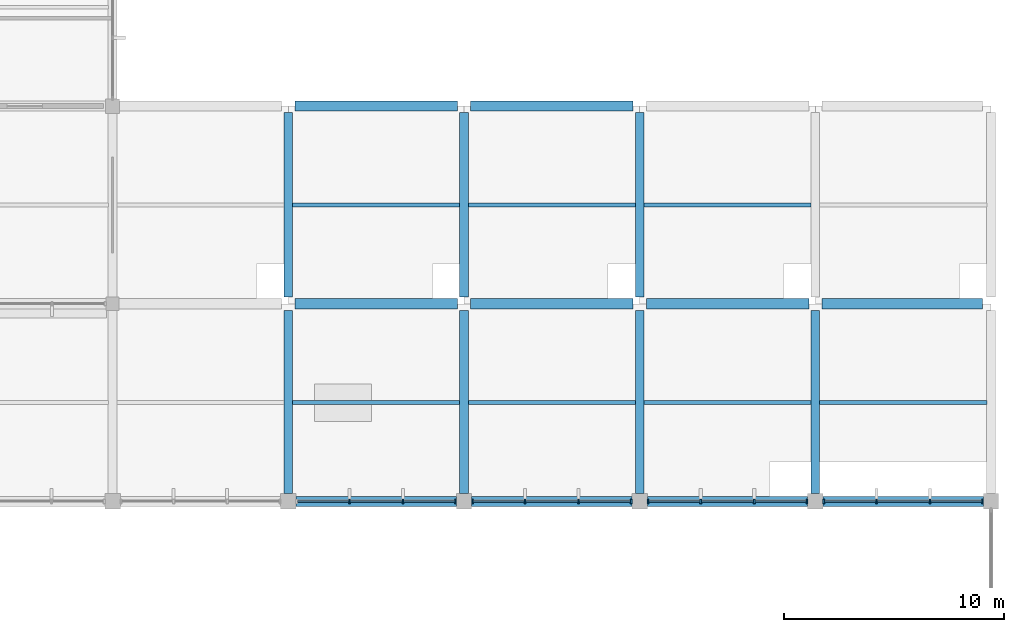
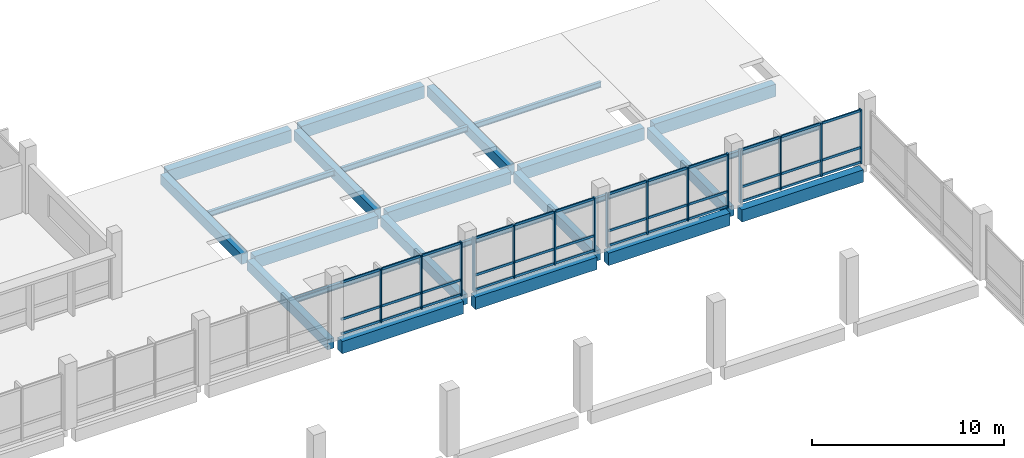
# One storey, part 39 of 70: 51 members, 24 beams, 4 elements without a shape of their own.
"""IFC4 building model written with IfcOpenShell, lengths in metres."""

from ifc_helpers import new_model, si_unit, direction, frame, origin, origin_2d, place, context, subcontext, project, spatial, rectangle, i_section, extrude, material, material_profile, profile_set, type_object, element, aggregate, save


model = new_model("IFC4")

# Units and contexts
model_context = context("Model", 3, precision=1e-05, world=origin(), true_north=direction((0.0, 1.0)))
body_context = subcontext(model_context, "Body", "Model", "MODEL_VIEW")
ifc_project = project(units=[si_unit("LENGTHUNIT", "METRE"), si_unit("AREAUNIT", "SQUARE_METRE"), si_unit("VOLUMEUNIT", "CUBIC_METRE"), si_unit("PLANEANGLEUNIT", "RADIAN"), si_unit("MASSUNIT", "GRAM", prefix="KILO"), si_unit("THERMODYNAMICTEMPERATUREUNIT", "KELVIN"), si_unit("POWERUNIT", "WATT")], contexts=[model_context])

# Site, building, storey
site_placement = place(None, origin())
site = spatial("IfcSite", under=ifc_project, at=site_placement, CompositionType="ELEMENT")
building_placement = place(site_placement, origin())
building = spatial("IfcBuilding", under=site, at=building_placement, Name="Kronsvod Quay Wholesale Market", CompositionType="ELEMENT")
storey_placement = place(building_placement, frame((0.0, 0.0, 9.0)))
storey = spatial("IfcBuildingStorey", under=building, at=storey_placement, Name="L02", CompositionType="ELEMENT", Elevation=9.0)

# Beams
ifc_material_1 = material(Name="Precast concrete C40/50", Category="concrete")
ifc_material_profile_1 = material_profile(ifc_material_1, rectangle(XDim=0.39990234375, YDim=0.64990234375, at=origin_2d()), Name="PCB400x650")
ifc_profile_set_1 = profile_set([ifc_material_profile_1], Name="Precast concrete C40/50")
beam_type_1 = type_object("IfcBeamType", Name="Beam_PCB400x650", PredefinedType="BEAM", material=ifc_profile_set_1)
beam_1_placement = place(storey_placement, frame((160.0, 90.35009765625, -0.635009765625), z_axis=(0.0, 1.0, 0.0), x_axis=(-1.0, 0.0, 0.0)))
element("IfcBeam", 1, at=beam_1_placement, inside=storey, type_object=beam_type_1, Name="BMY-L02-1600-900", PredefinedType="BEAM", context=body_context, shape_type="SweptSolid", body=[
    extrude(rectangle(XDim=0.39990234375, YDim=0.64990234375, at=origin_2d()), origin(), (0.0, 0.0, 1.0), 8.349853515625),
])
beam_2_placement = place(storey_placement, frame((160.0, 99.300048828125, -0.635009765625), z_axis=(0.0, 1.0, 0.0), x_axis=(-1.0, 0.0, 0.0)))
element("IfcBeam", 2, at=beam_2_placement, inside=storey, type_object=beam_type_1, Name="BMY-L02-1600-990", PredefinedType="BEAM", context=body_context, shape_type="SweptSolid", body=[
    extrude(rectangle(XDim=0.39990234375, YDim=0.64990234375, at=origin_2d()), origin(), (0.0, 0.0, 1.0), 8.39990234375),
])
beam_3_placement = place(storey_placement, frame((168.0, 90.35009765625, -0.635009765625), z_axis=(0.0, 1.0, 0.0), x_axis=(-1.0, 0.0, 0.0)))
element("IfcBeam", 3, at=beam_3_placement, inside=storey, type_object=beam_type_1, Name="BMY-L02-1680-900", PredefinedType="BEAM", context=body_context, shape_type="SweptSolid", body=[
    extrude(rectangle(XDim=0.39990234375, YDim=0.64990234375, at=origin_2d()), origin(), (0.0, 0.0, 1.0), 8.349853515625),
])
beam_4_placement = place(storey_placement, frame((168.0, 99.300048828125, -0.635009765625), z_axis=(0.0, 1.0, 0.0), x_axis=(-1.0, 0.0, 0.0)))
element("IfcBeam", 4, at=beam_4_placement, inside=storey, type_object=beam_type_1, Name="BMY-L02-1680-990", PredefinedType="BEAM", context=body_context, shape_type="SweptSolid", body=[
    extrude(rectangle(XDim=0.39990234375, YDim=0.64990234375, at=origin_2d()), origin(), (0.0, 0.0, 1.0), 8.39990234375),
])
beam_5_placement = place(storey_placement, frame((176.0, 90.35009765625, -0.635009765625), z_axis=(0.0, 1.0, 0.0), x_axis=(-1.0, 0.0, 0.0)))
element("IfcBeam", 5, at=beam_5_placement, inside=storey, type_object=beam_type_1, Name="BMY-L02-1760-900", PredefinedType="BEAM", context=body_context, shape_type="SweptSolid", body=[
    extrude(rectangle(XDim=0.39990234375, YDim=0.64990234375, at=origin_2d()), origin(), (0.0, 0.0, 1.0), 8.349853515625),
])
beam_6_placement = place(storey_placement, frame((176.0, 99.300048828125, -0.635009765625), z_axis=(0.0, 1.0, 0.0), x_axis=(-1.0, 0.0, 0.0)))
element("IfcBeam", 6, at=beam_6_placement, inside=storey, type_object=beam_type_1, Name="BMY-L02-1760-990", PredefinedType="BEAM", context=body_context, shape_type="SweptSolid", body=[
    extrude(rectangle(XDim=0.39990234375, YDim=0.64990234375, at=origin_2d()), origin(), (0.0, 0.0, 1.0), 8.39990234375),
])
beam_7_placement = place(storey_placement, frame((184.0, 90.35009765625, -0.635009765625), z_axis=(0.0, 1.0, 0.0), x_axis=(-1.0, 0.0, 0.0)))
element("IfcBeam", 7, at=beam_7_placement, inside=storey, type_object=beam_type_1, Name="BMY-L02-1840-900", PredefinedType="BEAM", context=body_context, shape_type="SweptSolid", body=[
    extrude(rectangle(XDim=0.39990234375, YDim=0.64990234375, at=origin_2d()), origin(), (0.0, 0.0, 1.0), 8.349853515625),
])
ifc_material_2 = material(Name="Precast concrete C40/50", Category="concrete")
ifc_material_profile_2 = material_profile(ifc_material_2, rectangle(XDim=0.4599609375, YDim=0.780029296875, at=origin_2d()), Name="PB-03")
ifc_profile_set_2 = profile_set([ifc_material_profile_2], Name="Precast concrete C40/50")
beam_type_2 = type_object("IfcBeamType", Name="Beam_PCB460x780", PredefinedType="BEAM", material=ifc_profile_set_2)
for number, where, z_axis, x_axis, name in (
    (8, (160.35009765625, 90.0, -0.64990234375), (1.0, 0.0, 0.0), (0.0, 1.0, 0.0), "BMX-L02-1600-900"),
    (9, (168.35009765625, 90.0, -0.64990234375), (1.0, 0.0, 0.0), (0.0, 1.0, 0.0), "BMX-L02-1680-900"),
    (10, (176.35009765625, 90.0, -0.64990234375), (1.0, 0.0, 0.0), (0.0, 1.0, 0.0), "BMX-L02-1760-900"),
    (11, (184.35009765625, 90.0, -0.699951171875), (1.0, 0.0, 0.0), (0.0, 1.0, 0.0), "BMX-L02-1840-900"),
):
    element("IfcBeam", number, at=place(storey_placement, frame(where, z_axis=z_axis, x_axis=x_axis)), inside=storey, type_object=beam_type_2, Name=name, PredefinedType="BEAM", context=body_context, shape_type="SweptSolid", body=[
        extrude(rectangle(XDim=0.4599609375, YDim=0.780029296875, at=origin_2d()), origin(), (0.0, 0.0, 1.0), 7.2998046875),
    ])
for number, where, z_axis, x_axis, name in (
    (12, (160.300048828125, 99.0, -0.699951171875), (1.0, 0.0, 0.0), (0.0, 1.0, 0.0), "BMX-L02-1600-990"),
    (13, (168.300048828125, 99.0, -0.699951171875), (1.0, 0.0, 0.0), (0.0, 1.0, 0.0), "BMX-L02-1680-990"),
    (14, (176.300048828125, 99.0, -0.699951171875), (1.0, 0.0, 0.0), (0.0, 1.0, 0.0), "BMX-L02-1760-990"),
):
    element("IfcBeam", number, at=place(storey_placement, frame(where, z_axis=z_axis, x_axis=x_axis)), inside=storey, type_object=beam_type_2, Name=name, PredefinedType="BEAM", context=body_context, shape_type="SweptSolid", body=[
        extrude(rectangle(XDim=0.4599609375, YDim=0.780029296875, at=origin_2d()), origin(), (0.0, 0.0, 1.0), 7.39990234375),
    ])
beam_8_placement = place(storey_placement, frame((184.300048828125, 99.0, -0.699951171875), z_axis=(1.0, 0.0, 0.0), x_axis=(0.0, 1.0, 0.0)))
element("IfcBeam", 15, at=beam_8_placement, inside=storey, type_object=beam_type_2, Name="BMX-L02-1840-990", PredefinedType="BEAM", context=body_context, shape_type="SweptSolid", body=[
    extrude(rectangle(XDim=0.4599609375, YDim=0.780029296875, at=origin_2d()), origin(), (0.0, 0.0, 1.0), 7.300048828125),
])
for number, where, z_axis, x_axis, name in (
    (16, (160.300048828125, 108.0, -0.699951171875), (1.0, 0.0, 0.0), (0.0, 1.0, 0.0), "BMX-L02-1600-1080"),
    (17, (168.300048828125, 108.0, -0.699951171875), (1.0, 0.0, 0.0), (0.0, 1.0, 0.0), "BMX-L02-1680-1080"),
):
    element("IfcBeam", number, at=place(storey_placement, frame(where, z_axis=z_axis, x_axis=x_axis)), inside=storey, type_object=beam_type_2, Name=name, PredefinedType="BEAM", context=body_context, shape_type="SweptSolid", body=[
        extrude(rectangle(XDim=0.4599609375, YDim=0.780029296875, at=origin_2d()), origin(), (0.0, 0.0, 1.0), 7.39990234375),
    ])
ifc_material_3 = material(Name="Steel S355", Category="steel")
ifc_material_profile_3 = material_profile(ifc_material_3, i_section(OverallWidth=0.174072265625, OverallDepth=0.345947265625, WebThickness=0.006103515625, FlangeThickness=0.009033203125, FilletRadius=0.013916015625, at=origin_2d()), Name="35B1")
ifc_profile_set_3 = profile_set([ifc_material_profile_3], Name="Steel S355")
beam_type_3 = type_object("IfcBeamType", Name="Joist_Steel35B1", PredefinedType="JOIST", material=ifc_profile_set_3)
for number, where, z_axis, x_axis, name in (
    (18, (160.195068359375, 94.5, -0.43310546875), (1.0, 0.0, 0.0), (0.0, 1.0, 0.0), "JSTX-L02-1600-900"),
    (19, (160.195068359375, 103.5, -0.43310546875), (1.0, 0.0, 0.0), (0.0, 1.0, 0.0), "JSTX-L02-1600-990"),
    (20, (168.195068359375, 94.5, -0.43310546875), (1.0, 0.0, 0.0), (0.0, 1.0, 0.0), "JSTX-L02-1680-900"),
    (21, (168.195068359375, 103.5, -0.43310546875), (1.0, 0.0, 0.0), (0.0, 1.0, 0.0), "JSTX-L02-1680-990"),
    (22, (176.195068359375, 94.5, -0.43310546875), (1.0, 0.0, 0.0), (0.0, 1.0, 0.0), "JSTX-L02-1760-900"),
    (23, (176.195068359375, 103.5, -0.43310546875), (1.0, 0.0, 0.0), (0.0, 1.0, 0.0), "JSTX-L02-1760-990"),
    (24, (184.195068359375, 94.5, -0.43310546875), (1.0, 0.0, 0.0), (0.0, 1.0, 0.0), "JSTX-L02-1840-900"),
):
    element("IfcBeam", number, at=place(storey_placement, frame(where, z_axis=z_axis, x_axis=x_axis)), inside=storey, type_object=beam_type_3, Name=name, PredefinedType="JOIST", context=body_context, shape_type="SweptSolid", body=[
        extrude(i_section(OverallWidth=0.174072265625, OverallDepth=0.345947265625, WebThickness=0.006103515625, FlangeThickness=0.009033203125, FilletRadius=0.013916015625, at=origin_2d()), origin(), (0.0, 0.0, 1.0), 7.60986328125),
    ])

# Curtain wall, members
ifc_material_4 = material(Name="Thermally broken aluminium and triple low-E glazing", Category="aluminium")
curtain_wall_type = type_object("IfcCurtainWallType", Name="CW_Clerestory80x32", PredefinedType="NOTDEFINED", material=ifc_material_4)
curtain_wall_1_placement = place(storey_placement, origin())
curtain_wall_1 = element("IfcCurtainWall", 25, at=curtain_wall_1_placement, inside=storey, type_object=curtain_wall_type, Name="CWGX-L02-1600-900", PredefinedType="NOTDEFINED")
ifc_material_5 = material(Name="Anodised aluminium", Category="aluminium")
ifc_material_profile_4 = material_profile(ifc_material_5, rectangle(XDim=0.074951171875, YDim=0.199951171875, at=origin_2d()), Name="ALUM75x200")
ifc_profile_set_4 = profile_set([ifc_material_profile_4], Name="Anodised aluminium")
member_type_1 = type_object("IfcMemberType", Name="Mullion_ALU75x200", PredefinedType="MULLION", material=ifc_profile_set_4)
member_1_placement = place(storey_placement, frame((167.617431640625, 90.0, 0.0), z_axis=(0.0, 0.0, 1.0), x_axis=(1.0, 0.0, 0.0)))
member_1 = element("IfcMember", 26, at=member_1_placement, type_object=member_type_1, Name="CWGX-L02-1600-900-M1", PredefinedType="MULLION", context=body_context, shape_type="SweptSolid", body=[
    extrude(rectangle(XDim=0.074951171875, YDim=0.199951171875, at=origin_2d()), origin(), (0.0, 0.0, 1.0), 3.419921875),
])
member_2_placement = place(storey_placement, frame((165.21826171875, 90.0, 0.0), z_axis=(0.0, 0.0, 1.0), x_axis=(1.0, 0.0, 0.0)))
member_2 = element("IfcMember", 27, at=member_2_placement, type_object=member_type_1, Name="CWGX-L02-1600-900-M2", PredefinedType="MULLION", context=body_context, shape_type="SweptSolid", body=[
    extrude(rectangle(XDim=0.074951171875, YDim=0.199951171875, at=origin_2d()), origin(), (0.0, 0.0, 1.0), 3.419921875),
])
member_3_placement = place(storey_placement, frame((162.78173828125, 90.0, 0.0), z_axis=(0.0, 0.0, 1.0), x_axis=(1.0, 0.0, 0.0)))
member_3 = element("IfcMember", 28, at=member_3_placement, type_object=member_type_1, Name="CWGX-L02-1600-900-M3", PredefinedType="MULLION", context=body_context, shape_type="SweptSolid", body=[
    extrude(rectangle(XDim=0.074951171875, YDim=0.199951171875, at=origin_2d()), origin(), (0.0, 0.0, 1.0), 3.419921875),
])

curtain_wall_2_placement = place(storey_placement, origin())
curtain_wall_2 = element("IfcCurtainWall", 29, at=curtain_wall_2_placement, inside=storey, type_object=curtain_wall_type, Name="CWGX-L02-1680-900", PredefinedType="NOTDEFINED")
member_4_placement = place(storey_placement, frame((175.617431640625, 90.0, 0.0), z_axis=(0.0, 0.0, 1.0), x_axis=(1.0, 0.0, 0.0)))
member_4 = element("IfcMember", 30, at=member_4_placement, type_object=member_type_1, Name="CWGX-L02-1680-900-M1", PredefinedType="MULLION", context=body_context, shape_type="SweptSolid", body=[
    extrude(rectangle(XDim=0.074951171875, YDim=0.199951171875, at=origin_2d()), origin(), (0.0, 0.0, 1.0), 3.419921875),
])
member_5_placement = place(storey_placement, frame((173.21826171875, 90.0, 0.0), z_axis=(0.0, 0.0, 1.0), x_axis=(1.0, 0.0, 0.0)))
member_5 = element("IfcMember", 31, at=member_5_placement, type_object=member_type_1, Name="CWGX-L02-1680-900-M2", PredefinedType="MULLION", context=body_context, shape_type="SweptSolid", body=[
    extrude(rectangle(XDim=0.074951171875, YDim=0.199951171875, at=origin_2d()), origin(), (0.0, 0.0, 1.0), 3.419921875),
])
member_6_placement = place(storey_placement, frame((170.78173828125, 90.0, 0.0), z_axis=(0.0, 0.0, 1.0), x_axis=(1.0, 0.0, 0.0)))
member_6 = element("IfcMember", 32, at=member_6_placement, type_object=member_type_1, Name="CWGX-L02-1680-900-M3", PredefinedType="MULLION", context=body_context, shape_type="SweptSolid", body=[
    extrude(rectangle(XDim=0.074951171875, YDim=0.199951171875, at=origin_2d()), origin(), (0.0, 0.0, 1.0), 3.419921875),
])
member_7_placement = place(storey_placement, frame((168.382568359375, 90.0, 0.0), z_axis=(0.0, 0.0, 1.0), x_axis=(1.0, 0.0, 0.0)))
member_7 = element("IfcMember", 33, at=member_7_placement, type_object=member_type_1, Name="CWGX-L02-1680-900-M4", PredefinedType="MULLION", context=body_context, shape_type="SweptSolid", body=[
    extrude(rectangle(XDim=0.074951171875, YDim=0.199951171875, at=origin_2d()), origin(), (0.0, 0.0, 1.0), 3.419921875),
])

curtain_wall_3_placement = place(storey_placement, origin())
curtain_wall_3 = element("IfcCurtainWall", 34, at=curtain_wall_3_placement, inside=storey, type_object=curtain_wall_type, Name="CWGX-L02-1760-900", PredefinedType="NOTDEFINED")
member_8_placement = place(storey_placement, frame((183.617431640625, 90.0, 0.0), z_axis=(0.0, 0.0, 1.0), x_axis=(1.0, 0.0, 0.0)))
member_8 = element("IfcMember", 35, at=member_8_placement, type_object=member_type_1, Name="CWGX-L02-1760-900-M1", PredefinedType="MULLION", context=body_context, shape_type="SweptSolid", body=[
    extrude(rectangle(XDim=0.074951171875, YDim=0.199951171875, at=origin_2d()), origin(), (0.0, 0.0, 1.0), 3.419921875),
])
member_9_placement = place(storey_placement, frame((181.21826171875, 90.0, 0.0), z_axis=(0.0, 0.0, 1.0), x_axis=(1.0, 0.0, 0.0)))
member_9 = element("IfcMember", 36, at=member_9_placement, type_object=member_type_1, Name="CWGX-L02-1760-900-M2", PredefinedType="MULLION", context=body_context, shape_type="SweptSolid", body=[
    extrude(rectangle(XDim=0.074951171875, YDim=0.199951171875, at=origin_2d()), origin(), (0.0, 0.0, 1.0), 3.419921875),
])
member_10_placement = place(storey_placement, frame((178.78173828125, 90.0, 0.0), z_axis=(0.0, 0.0, 1.0), x_axis=(1.0, 0.0, 0.0)))
member_10 = element("IfcMember", 37, at=member_10_placement, type_object=member_type_1, Name="CWGX-L02-1760-900-M3", PredefinedType="MULLION", context=body_context, shape_type="SweptSolid", body=[
    extrude(rectangle(XDim=0.074951171875, YDim=0.199951171875, at=origin_2d()), origin(), (0.0, 0.0, 1.0), 3.419921875),
])
member_11_placement = place(storey_placement, frame((176.382568359375, 90.0, 0.0), z_axis=(0.0, 0.0, 1.0), x_axis=(1.0, 0.0, 0.0)))
member_11 = element("IfcMember", 38, at=member_11_placement, type_object=member_type_1, Name="CWGX-L02-1760-900-M4", PredefinedType="MULLION", context=body_context, shape_type="SweptSolid", body=[
    extrude(rectangle(XDim=0.074951171875, YDim=0.199951171875, at=origin_2d()), origin(), (0.0, 0.0, 1.0), 3.419921875),
])

curtain_wall_4_placement = place(storey_placement, origin())
curtain_wall_4 = element("IfcCurtainWall", 39, at=curtain_wall_4_placement, inside=storey, type_object=curtain_wall_type, Name="CWGX-L02-1840-900", PredefinedType="NOTDEFINED")
member_12_placement = place(storey_placement, frame((191.617431640625, 90.0, 0.0), z_axis=(0.0, 0.0, 1.0), x_axis=(1.0, 0.0, 0.0)))
member_12 = element("IfcMember", 40, at=member_12_placement, type_object=member_type_1, Name="CWGX-L02-1840-900-M1", PredefinedType="MULLION", context=body_context, shape_type="SweptSolid", body=[
    extrude(rectangle(XDim=0.074951171875, YDim=0.199951171875, at=origin_2d()), origin(), (0.0, 0.0, 1.0), 3.419921875),
])
member_13_placement = place(storey_placement, frame((189.21826171875, 90.0, 0.0), z_axis=(0.0, 0.0, 1.0), x_axis=(1.0, 0.0, 0.0)))
member_13 = element("IfcMember", 41, at=member_13_placement, type_object=member_type_1, Name="CWGX-L02-1840-900-M2", PredefinedType="MULLION", context=body_context, shape_type="SweptSolid", body=[
    extrude(rectangle(XDim=0.074951171875, YDim=0.199951171875, at=origin_2d()), origin(), (0.0, 0.0, 1.0), 3.419921875),
])
member_14_placement = place(storey_placement, frame((186.78173828125, 90.0, 0.0), z_axis=(0.0, 0.0, 1.0), x_axis=(1.0, 0.0, 0.0)))
member_14 = element("IfcMember", 42, at=member_14_placement, type_object=member_type_1, Name="CWGX-L02-1840-900-M3", PredefinedType="MULLION", context=body_context, shape_type="SweptSolid", body=[
    extrude(rectangle(XDim=0.074951171875, YDim=0.199951171875, at=origin_2d()), origin(), (0.0, 0.0, 1.0), 3.419921875),
])
member_15_placement = place(storey_placement, frame((184.382568359375, 90.0, 0.0), z_axis=(0.0, 0.0, 1.0), x_axis=(1.0, 0.0, 0.0)))
member_15 = element("IfcMember", 43, at=member_15_placement, type_object=member_type_1, Name="CWGX-L02-1840-900-M4", PredefinedType="MULLION", context=body_context, shape_type="SweptSolid", body=[
    extrude(rectangle(XDim=0.074951171875, YDim=0.199951171875, at=origin_2d()), origin(), (0.0, 0.0, 1.0), 3.419921875),
])

# Member
ifc_material_6 = material(Name="Anodised aluminium", Category="aluminium")
ifc_material_profile_5 = material_profile(ifc_material_6, rectangle(XDim=0.074951171875, YDim=0.14990234375, at=origin_2d()), Name="ALUT75x150")
ifc_profile_set_5 = profile_set([ifc_material_profile_5], Name="Anodised aluminium")
member_type_2 = type_object("IfcMemberType", Name="Transom_ALU75x150", PredefinedType="USERDEFINED", material=ifc_profile_set_5)
member_16_placement = place(storey_placement, frame((167.580078125, 90.0, 0.074951171875), z_axis=(-1.0, 0.0, 0.0), x_axis=(0.0, -1.0, 0.0)))
member_16 = element("IfcMember", 44, at=member_16_placement, type_object=member_type_2, Name="CWGX-L02-1600-900-T1B1", ObjectType="TRANSOM", PredefinedType="USERDEFINED", context=body_context, shape_type="SweptSolid", body=[
    extrude(rectangle(XDim=0.074951171875, YDim=0.14990234375, at=origin_2d()), origin(), (0.0, 0.0, 1.0), 2.32421875),
])

member_17_placement = place(storey_placement, frame((165.180908203125, 90.0, 0.074951171875), z_axis=(-1.0, 0.0, 0.0), x_axis=(0.0, -1.0, 0.0)))
member_17 = element("IfcMember", 45, at=member_17_placement, type_object=member_type_2, Name="CWGX-L02-1600-900-T1B2", ObjectType="TRANSOM", PredefinedType="USERDEFINED", context=body_context, shape_type="SweptSolid", body=[
    extrude(rectangle(XDim=0.074951171875, YDim=0.14990234375, at=origin_2d()), origin(), (0.0, 0.0, 1.0), 2.36181640625),
])

member_18_placement = place(storey_placement, frame((162.744140625, 90.0, 0.074951171875), z_axis=(-1.0, 0.0, 0.0), x_axis=(0.0, -1.0, 0.0)))
member_18 = element("IfcMember", 46, at=member_18_placement, type_object=member_type_2, Name="CWGX-L02-1600-900-T1B3", ObjectType="TRANSOM", PredefinedType="USERDEFINED", context=body_context, shape_type="SweptSolid", body=[
    extrude(rectangle(XDim=0.074951171875, YDim=0.14990234375, at=origin_2d()), origin(), (0.0, 0.0, 1.0), 2.32421875),
])

member_19_placement = place(storey_placement, frame((167.580078125, 90.0, 1.0), z_axis=(-1.0, 0.0, 0.0), x_axis=(0.0, -1.0, 0.0)))
member_19 = element("IfcMember", 47, at=member_19_placement, type_object=member_type_2, Name="CWGX-L02-1600-900-T2B1", ObjectType="TRANSOM", PredefinedType="USERDEFINED", context=body_context, shape_type="SweptSolid", body=[
    extrude(rectangle(XDim=0.074951171875, YDim=0.14990234375, at=origin_2d()), origin(), (0.0, 0.0, 1.0), 2.32421875),
])

member_20_placement = place(storey_placement, frame((165.180908203125, 90.0, 1.0), z_axis=(-1.0, 0.0, 0.0), x_axis=(0.0, -1.0, 0.0)))
member_20 = element("IfcMember", 48, at=member_20_placement, type_object=member_type_2, Name="CWGX-L02-1600-900-T2B2", ObjectType="TRANSOM", PredefinedType="USERDEFINED", context=body_context, shape_type="SweptSolid", body=[
    extrude(rectangle(XDim=0.074951171875, YDim=0.14990234375, at=origin_2d()), origin(), (0.0, 0.0, 1.0), 2.36181640625),
])

member_21_placement = place(storey_placement, frame((162.744140625, 90.0, 1.0), z_axis=(-1.0, 0.0, 0.0), x_axis=(0.0, -1.0, 0.0)))
member_21 = element("IfcMember", 49, at=member_21_placement, type_object=member_type_2, Name="CWGX-L02-1600-900-T2B3", ObjectType="TRANSOM", PredefinedType="USERDEFINED", context=body_context, shape_type="SweptSolid", body=[
    extrude(rectangle(XDim=0.074951171875, YDim=0.14990234375, at=origin_2d()), origin(), (0.0, 0.0, 1.0), 2.32421875),
])

member_22_placement = place(storey_placement, frame((167.580078125, 90.0, 3.344970703125), z_axis=(-1.0, 0.0, 0.0), x_axis=(0.0, -1.0, 0.0)))
member_22 = element("IfcMember", 50, at=member_22_placement, type_object=member_type_2, Name="CWGX-L02-1600-900-T3B1", ObjectType="TRANSOM", PredefinedType="USERDEFINED", context=body_context, shape_type="SweptSolid", body=[
    extrude(rectangle(XDim=0.074951171875, YDim=0.14990234375, at=origin_2d()), origin(), (0.0, 0.0, 1.0), 2.32421875),
])

member_23_placement = place(storey_placement, frame((165.180908203125, 90.0, 3.344970703125), z_axis=(-1.0, 0.0, 0.0), x_axis=(0.0, -1.0, 0.0)))
member_23 = element("IfcMember", 51, at=member_23_placement, type_object=member_type_2, Name="CWGX-L02-1600-900-T3B2", ObjectType="TRANSOM", PredefinedType="USERDEFINED", context=body_context, shape_type="SweptSolid", body=[
    extrude(rectangle(XDim=0.074951171875, YDim=0.14990234375, at=origin_2d()), origin(), (0.0, 0.0, 1.0), 2.36181640625),
])

member_24_placement = place(storey_placement, frame((162.744140625, 90.0, 3.344970703125), z_axis=(-1.0, 0.0, 0.0), x_axis=(0.0, -1.0, 0.0)))
member_24 = element("IfcMember", 52, at=member_24_placement, type_object=member_type_2, Name="CWGX-L02-1600-900-T3B3", ObjectType="TRANSOM", PredefinedType="USERDEFINED", context=body_context, shape_type="SweptSolid", body=[
    extrude(rectangle(XDim=0.074951171875, YDim=0.14990234375, at=origin_2d()), origin(), (0.0, 0.0, 1.0), 2.32421875),
])

aggregate(curtain_wall_1, [member_1, member_2, member_3, member_16, member_17, member_18, member_19, member_20, member_21, member_22, member_23, member_24])

member_25_placement = place(storey_placement, frame((175.580078125, 90.0, 0.074951171875), z_axis=(-1.0, 0.0, 0.0), x_axis=(0.0, -1.0, 0.0)))
member_25 = element("IfcMember", 53, at=member_25_placement, type_object=member_type_2, Name="CWGX-L02-1680-900-T1B1", ObjectType="TRANSOM", PredefinedType="USERDEFINED", context=body_context, shape_type="SweptSolid", body=[
    extrude(rectangle(XDim=0.074951171875, YDim=0.14990234375, at=origin_2d()), origin(), (0.0, 0.0, 1.0), 2.32421875),
])

member_26_placement = place(storey_placement, frame((173.180908203125, 90.0, 0.074951171875), z_axis=(-1.0, 0.0, 0.0), x_axis=(0.0, -1.0, 0.0)))
member_26 = element("IfcMember", 54, at=member_26_placement, type_object=member_type_2, Name="CWGX-L02-1680-900-T1B2", ObjectType="TRANSOM", PredefinedType="USERDEFINED", context=body_context, shape_type="SweptSolid", body=[
    extrude(rectangle(XDim=0.074951171875, YDim=0.14990234375, at=origin_2d()), origin(), (0.0, 0.0, 1.0), 2.36181640625),
])

member_27_placement = place(storey_placement, frame((170.744140625, 90.0, 0.074951171875), z_axis=(-1.0, 0.0, 0.0), x_axis=(0.0, -1.0, 0.0)))
member_27 = element("IfcMember", 55, at=member_27_placement, type_object=member_type_2, Name="CWGX-L02-1680-900-T1B3", ObjectType="TRANSOM", PredefinedType="USERDEFINED", context=body_context, shape_type="SweptSolid", body=[
    extrude(rectangle(XDim=0.074951171875, YDim=0.14990234375, at=origin_2d()), origin(), (0.0, 0.0, 1.0), 2.32421875),
])

member_28_placement = place(storey_placement, frame((175.580078125, 90.0, 1.0), z_axis=(-1.0, 0.0, 0.0), x_axis=(0.0, -1.0, 0.0)))
member_28 = element("IfcMember", 56, at=member_28_placement, type_object=member_type_2, Name="CWGX-L02-1680-900-T2B1", ObjectType="TRANSOM", PredefinedType="USERDEFINED", context=body_context, shape_type="SweptSolid", body=[
    extrude(rectangle(XDim=0.074951171875, YDim=0.14990234375, at=origin_2d()), origin(), (0.0, 0.0, 1.0), 2.32421875),
])

member_29_placement = place(storey_placement, frame((173.180908203125, 90.0, 1.0), z_axis=(-1.0, 0.0, 0.0), x_axis=(0.0, -1.0, 0.0)))
member_29 = element("IfcMember", 57, at=member_29_placement, type_object=member_type_2, Name="CWGX-L02-1680-900-T2B2", ObjectType="TRANSOM", PredefinedType="USERDEFINED", context=body_context, shape_type="SweptSolid", body=[
    extrude(rectangle(XDim=0.074951171875, YDim=0.14990234375, at=origin_2d()), origin(), (0.0, 0.0, 1.0), 2.36181640625),
])

member_30_placement = place(storey_placement, frame((170.744140625, 90.0, 1.0), z_axis=(-1.0, 0.0, 0.0), x_axis=(0.0, -1.0, 0.0)))
member_30 = element("IfcMember", 58, at=member_30_placement, type_object=member_type_2, Name="CWGX-L02-1680-900-T2B3", ObjectType="TRANSOM", PredefinedType="USERDEFINED", context=body_context, shape_type="SweptSolid", body=[
    extrude(rectangle(XDim=0.074951171875, YDim=0.14990234375, at=origin_2d()), origin(), (0.0, 0.0, 1.0), 2.32421875),
])

member_31_placement = place(storey_placement, frame((175.580078125, 90.0, 3.344970703125), z_axis=(-1.0, 0.0, 0.0), x_axis=(0.0, -1.0, 0.0)))
member_31 = element("IfcMember", 59, at=member_31_placement, type_object=member_type_2, Name="CWGX-L02-1680-900-T3B1", ObjectType="TRANSOM", PredefinedType="USERDEFINED", context=body_context, shape_type="SweptSolid", body=[
    extrude(rectangle(XDim=0.074951171875, YDim=0.14990234375, at=origin_2d()), origin(), (0.0, 0.0, 1.0), 2.32421875),
])

member_32_placement = place(storey_placement, frame((173.180908203125, 90.0, 3.344970703125), z_axis=(-1.0, 0.0, 0.0), x_axis=(0.0, -1.0, 0.0)))
member_32 = element("IfcMember", 60, at=member_32_placement, type_object=member_type_2, Name="CWGX-L02-1680-900-T3B2", ObjectType="TRANSOM", PredefinedType="USERDEFINED", context=body_context, shape_type="SweptSolid", body=[
    extrude(rectangle(XDim=0.074951171875, YDim=0.14990234375, at=origin_2d()), origin(), (0.0, 0.0, 1.0), 2.36181640625),
])

member_33_placement = place(storey_placement, frame((170.744140625, 90.0, 3.344970703125), z_axis=(-1.0, 0.0, 0.0), x_axis=(0.0, -1.0, 0.0)))
member_33 = element("IfcMember", 61, at=member_33_placement, type_object=member_type_2, Name="CWGX-L02-1680-900-T3B3", ObjectType="TRANSOM", PredefinedType="USERDEFINED", context=body_context, shape_type="SweptSolid", body=[
    extrude(rectangle(XDim=0.074951171875, YDim=0.14990234375, at=origin_2d()), origin(), (0.0, 0.0, 1.0), 2.32421875),
])

aggregate(curtain_wall_2, [member_4, member_5, member_6, member_7, member_25, member_26, member_27, member_28, member_29, member_30, member_31, member_32, member_33])

member_34_placement = place(storey_placement, frame((183.580078125, 90.0, 0.074951171875), z_axis=(-1.0, 0.0, 0.0), x_axis=(0.0, -1.0, 0.0)))
member_34 = element("IfcMember", 62, at=member_34_placement, type_object=member_type_2, Name="CWGX-L02-1760-900-T1B1", ObjectType="TRANSOM", PredefinedType="USERDEFINED", context=body_context, shape_type="SweptSolid", body=[
    extrude(rectangle(XDim=0.074951171875, YDim=0.14990234375, at=origin_2d()), origin(), (0.0, 0.0, 1.0), 2.32421875),
])

member_35_placement = place(storey_placement, frame((181.180908203125, 90.0, 0.074951171875), z_axis=(-1.0, 0.0, 0.0), x_axis=(0.0, -1.0, 0.0)))
member_35 = element("IfcMember", 63, at=member_35_placement, type_object=member_type_2, Name="CWGX-L02-1760-900-T1B2", ObjectType="TRANSOM", PredefinedType="USERDEFINED", context=body_context, shape_type="SweptSolid", body=[
    extrude(rectangle(XDim=0.074951171875, YDim=0.14990234375, at=origin_2d()), origin(), (0.0, 0.0, 1.0), 2.36181640625),
])

member_36_placement = place(storey_placement, frame((178.744140625, 90.0, 0.074951171875), z_axis=(-1.0, 0.0, 0.0), x_axis=(0.0, -1.0, 0.0)))
member_36 = element("IfcMember", 64, at=member_36_placement, type_object=member_type_2, Name="CWGX-L02-1760-900-T1B3", ObjectType="TRANSOM", PredefinedType="USERDEFINED", context=body_context, shape_type="SweptSolid", body=[
    extrude(rectangle(XDim=0.074951171875, YDim=0.14990234375, at=origin_2d()), origin(), (0.0, 0.0, 1.0), 2.32421875),
])

member_37_placement = place(storey_placement, frame((183.580078125, 90.0, 1.0), z_axis=(-1.0, 0.0, 0.0), x_axis=(0.0, -1.0, 0.0)))
member_37 = element("IfcMember", 65, at=member_37_placement, type_object=member_type_2, Name="CWGX-L02-1760-900-T2B1", ObjectType="TRANSOM", PredefinedType="USERDEFINED", context=body_context, shape_type="SweptSolid", body=[
    extrude(rectangle(XDim=0.074951171875, YDim=0.14990234375, at=origin_2d()), origin(), (0.0, 0.0, 1.0), 2.32421875),
])

member_38_placement = place(storey_placement, frame((181.180908203125, 90.0, 1.0), z_axis=(-1.0, 0.0, 0.0), x_axis=(0.0, -1.0, 0.0)))
member_38 = element("IfcMember", 66, at=member_38_placement, type_object=member_type_2, Name="CWGX-L02-1760-900-T2B2", ObjectType="TRANSOM", PredefinedType="USERDEFINED", context=body_context, shape_type="SweptSolid", body=[
    extrude(rectangle(XDim=0.074951171875, YDim=0.14990234375, at=origin_2d()), origin(), (0.0, 0.0, 1.0), 2.36181640625),
])

member_39_placement = place(storey_placement, frame((178.744140625, 90.0, 1.0), z_axis=(-1.0, 0.0, 0.0), x_axis=(0.0, -1.0, 0.0)))
member_39 = element("IfcMember", 67, at=member_39_placement, type_object=member_type_2, Name="CWGX-L02-1760-900-T2B3", ObjectType="TRANSOM", PredefinedType="USERDEFINED", context=body_context, shape_type="SweptSolid", body=[
    extrude(rectangle(XDim=0.074951171875, YDim=0.14990234375, at=origin_2d()), origin(), (0.0, 0.0, 1.0), 2.32421875),
])

member_40_placement = place(storey_placement, frame((183.580078125, 90.0, 3.344970703125), z_axis=(-1.0, 0.0, 0.0), x_axis=(0.0, -1.0, 0.0)))
member_40 = element("IfcMember", 68, at=member_40_placement, type_object=member_type_2, Name="CWGX-L02-1760-900-T3B1", ObjectType="TRANSOM", PredefinedType="USERDEFINED", context=body_context, shape_type="SweptSolid", body=[
    extrude(rectangle(XDim=0.074951171875, YDim=0.14990234375, at=origin_2d()), origin(), (0.0, 0.0, 1.0), 2.32421875),
])

member_41_placement = place(storey_placement, frame((181.180908203125, 90.0, 3.344970703125), z_axis=(-1.0, 0.0, 0.0), x_axis=(0.0, -1.0, 0.0)))
member_41 = element("IfcMember", 69, at=member_41_placement, type_object=member_type_2, Name="CWGX-L02-1760-900-T3B2", ObjectType="TRANSOM", PredefinedType="USERDEFINED", context=body_context, shape_type="SweptSolid", body=[
    extrude(rectangle(XDim=0.074951171875, YDim=0.14990234375, at=origin_2d()), origin(), (0.0, 0.0, 1.0), 2.36181640625),
])

member_42_placement = place(storey_placement, frame((178.744140625, 90.0, 3.344970703125), z_axis=(-1.0, 0.0, 0.0), x_axis=(0.0, -1.0, 0.0)))
member_42 = element("IfcMember", 70, at=member_42_placement, type_object=member_type_2, Name="CWGX-L02-1760-900-T3B3", ObjectType="TRANSOM", PredefinedType="USERDEFINED", context=body_context, shape_type="SweptSolid", body=[
    extrude(rectangle(XDim=0.074951171875, YDim=0.14990234375, at=origin_2d()), origin(), (0.0, 0.0, 1.0), 2.32421875),
])

aggregate(curtain_wall_3, [member_8, member_9, member_10, member_11, member_34, member_35, member_36, member_37, member_38, member_39, member_40, member_41, member_42])

member_43_placement = place(storey_placement, frame((191.580078125, 90.0, 0.074951171875), z_axis=(-1.0, 0.0, 0.0), x_axis=(0.0, -1.0, 0.0)))
member_43 = element("IfcMember", 71, at=member_43_placement, type_object=member_type_2, Name="CWGX-L02-1840-900-T1B1", ObjectType="TRANSOM", PredefinedType="USERDEFINED", context=body_context, shape_type="SweptSolid", body=[
    extrude(rectangle(XDim=0.074951171875, YDim=0.14990234375, at=origin_2d()), origin(), (0.0, 0.0, 1.0), 2.32421875),
])

member_44_placement = place(storey_placement, frame((189.180908203125, 90.0, 0.074951171875), z_axis=(-1.0, 0.0, 0.0), x_axis=(0.0, -1.0, 0.0)))
member_44 = element("IfcMember", 72, at=member_44_placement, type_object=member_type_2, Name="CWGX-L02-1840-900-T1B2", ObjectType="TRANSOM", PredefinedType="USERDEFINED", context=body_context, shape_type="SweptSolid", body=[
    extrude(rectangle(XDim=0.074951171875, YDim=0.14990234375, at=origin_2d()), origin(), (0.0, 0.0, 1.0), 2.36181640625),
])

member_45_placement = place(storey_placement, frame((186.744140625, 90.0, 0.074951171875), z_axis=(-1.0, 0.0, 0.0), x_axis=(0.0, -1.0, 0.0)))
member_45 = element("IfcMember", 73, at=member_45_placement, type_object=member_type_2, Name="CWGX-L02-1840-900-T1B3", ObjectType="TRANSOM", PredefinedType="USERDEFINED", context=body_context, shape_type="SweptSolid", body=[
    extrude(rectangle(XDim=0.074951171875, YDim=0.14990234375, at=origin_2d()), origin(), (0.0, 0.0, 1.0), 2.32421875),
])

member_46_placement = place(storey_placement, frame((191.580078125, 90.0, 1.0), z_axis=(-1.0, 0.0, 0.0), x_axis=(0.0, -1.0, 0.0)))
member_46 = element("IfcMember", 74, at=member_46_placement, type_object=member_type_2, Name="CWGX-L02-1840-900-T2B1", ObjectType="TRANSOM", PredefinedType="USERDEFINED", context=body_context, shape_type="SweptSolid", body=[
    extrude(rectangle(XDim=0.074951171875, YDim=0.14990234375, at=origin_2d()), origin(), (0.0, 0.0, 1.0), 2.32421875),
])

member_47_placement = place(storey_placement, frame((189.180908203125, 90.0, 1.0), z_axis=(-1.0, 0.0, 0.0), x_axis=(0.0, -1.0, 0.0)))
member_47 = element("IfcMember", 75, at=member_47_placement, type_object=member_type_2, Name="CWGX-L02-1840-900-T2B2", ObjectType="TRANSOM", PredefinedType="USERDEFINED", context=body_context, shape_type="SweptSolid", body=[
    extrude(rectangle(XDim=0.074951171875, YDim=0.14990234375, at=origin_2d()), origin(), (0.0, 0.0, 1.0), 2.36181640625),
])

member_48_placement = place(storey_placement, frame((186.744140625, 90.0, 1.0), z_axis=(-1.0, 0.0, 0.0), x_axis=(0.0, -1.0, 0.0)))
member_48 = element("IfcMember", 76, at=member_48_placement, type_object=member_type_2, Name="CWGX-L02-1840-900-T2B3", ObjectType="TRANSOM", PredefinedType="USERDEFINED", context=body_context, shape_type="SweptSolid", body=[
    extrude(rectangle(XDim=0.074951171875, YDim=0.14990234375, at=origin_2d()), origin(), (0.0, 0.0, 1.0), 2.32421875),
])

member_49_placement = place(storey_placement, frame((191.580078125, 90.0, 3.344970703125), z_axis=(-1.0, 0.0, 0.0), x_axis=(0.0, -1.0, 0.0)))
member_49 = element("IfcMember", 77, at=member_49_placement, type_object=member_type_2, Name="CWGX-L02-1840-900-T3B1", ObjectType="TRANSOM", PredefinedType="USERDEFINED", context=body_context, shape_type="SweptSolid", body=[
    extrude(rectangle(XDim=0.074951171875, YDim=0.14990234375, at=origin_2d()), origin(), (0.0, 0.0, 1.0), 2.32421875),
])

member_50_placement = place(storey_placement, frame((189.180908203125, 90.0, 3.344970703125), z_axis=(-1.0, 0.0, 0.0), x_axis=(0.0, -1.0, 0.0)))
member_50 = element("IfcMember", 78, at=member_50_placement, type_object=member_type_2, Name="CWGX-L02-1840-900-T3B2", ObjectType="TRANSOM", PredefinedType="USERDEFINED", context=body_context, shape_type="SweptSolid", body=[
    extrude(rectangle(XDim=0.074951171875, YDim=0.14990234375, at=origin_2d()), origin(), (0.0, 0.0, 1.0), 2.36181640625),
])

member_51_placement = place(storey_placement, frame((186.744140625, 90.0, 3.344970703125), z_axis=(-1.0, 0.0, 0.0), x_axis=(0.0, -1.0, 0.0)))
member_51 = element("IfcMember", 79, at=member_51_placement, type_object=member_type_2, Name="CWGX-L02-1840-900-T3B3", ObjectType="TRANSOM", PredefinedType="USERDEFINED", context=body_context, shape_type="SweptSolid", body=[
    extrude(rectangle(XDim=0.074951171875, YDim=0.14990234375, at=origin_2d()), origin(), (0.0, 0.0, 1.0), 2.32421875),
])

aggregate(curtain_wall_4, [member_12, member_13, member_14, member_15, member_43, member_44, member_45, member_46, member_47, member_48, member_49, member_50, member_51])

save(model, "model.ifc")
